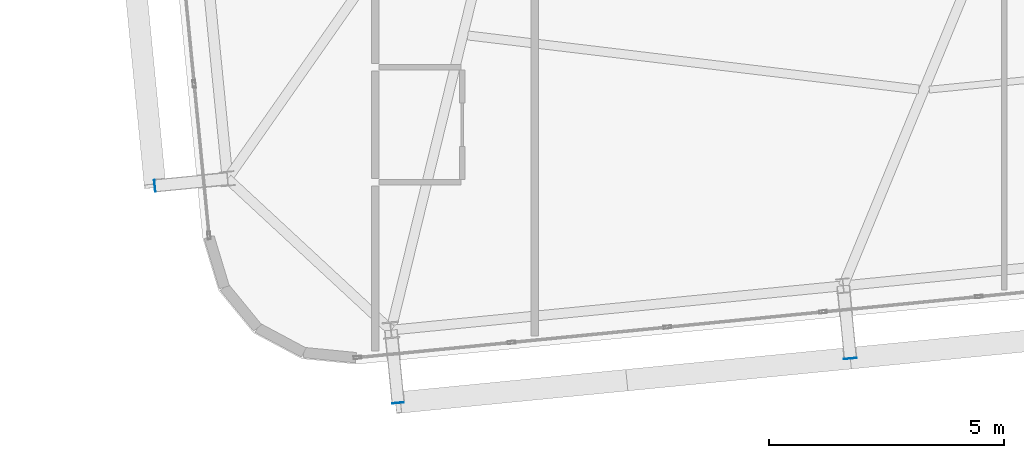
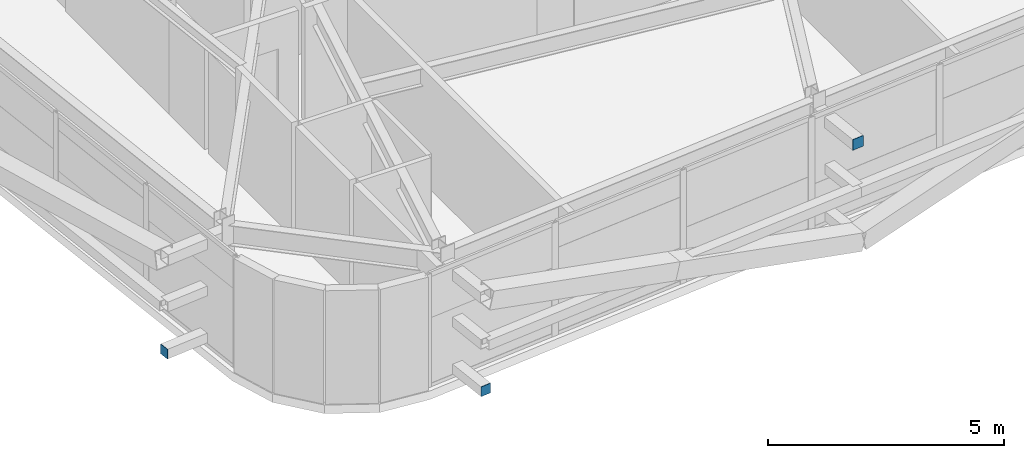
# One storey, part 38 of 52: 3 plates.
"""IFC4 building model written with IfcOpenShell, lengths in metres."""

import ifcopenshell
import ifcopenshell.guid

model = None  # the IFC model being written
_history = None  # IfcOwnerHistory: only IFC2X3 demands one
_inside = {}  # id of a spatial element -> (the spatial element, [elements in it])
_under = {}  # id of a project, library or spatial element -> (it, [spatial elements below it])
_declared = {}  # id of a project -> (the project, [libraries it declares])
_typed = {}  # id of a type object -> (the type object, [elements of that type])
_made_of = {}  # id of a material, layer set ... -> (it, [elements and type objects made of it])


def new_model(schema):
    """Start an empty IFC model of exactly this schema.

    Asked for "IFC4X3", IfcOpenShell would pick the latest addendum, in which some entities
    have other attributes; the version numbers below select the first issue.
    IFC2X3 requires an IfcOwnerHistory on every rooted entity: one is made here for all.
    """
    global model, _history
    if schema == "IFC4X3":
        model = ifcopenshell.file(schema_version=(4, 3, 0, 0))
    else:
        model = ifcopenshell.file(schema=schema)
    _inside.clear()
    _under.clear()
    _declared.clear()
    _typed.clear()
    _made_of.clear()
    _history = None
    if model.schema == "IFC2X3":
        org = make("IfcOrganization", Name="unknown")
        user = make(
            "IfcPersonAndOrganization",
            ThePerson=make("IfcPerson", FamilyName="unknown"),
            TheOrganization=org,
        )
        app = make(
            "IfcApplication",
            ApplicationDeveloper=org,
            Version="unknown",
            ApplicationFullName="unknown",
            ApplicationIdentifier="unknown",
        )
        _history = make(
            "IfcOwnerHistory",
            OwningUser=user,
            OwningApplication=app,
            ChangeAction="ADDED",
            CreationDate=0,
        )
    return model


def make(cls, **values):
    """One entity of the class cls with the attributes given. An attribute that is None is left unset."""
    return model.create_entity(
        cls, **{name: value for name, value in values.items() if value is not None}
    )


def rooted(cls, **values):
    """An entity with a GlobalId (a new one), such as an element, a storey or a relation."""
    return make(cls, GlobalId=ifcopenshell.guid.new(), OwnerHistory=_history, **values)


def si_unit(unit_type, name, prefix=None):
    """IfcSIUnit, for example si_unit("LENGTHUNIT", "METRE", prefix="MILLI")."""
    return make("IfcSIUnit", UnitType=unit_type, Prefix=prefix, Name=name)


def assignment(units):
    """IfcUnitAssignment: the units of a project."""
    return None if units is None else make("IfcUnitAssignment", Units=units)


def point(xyz):
    """IfcCartesianPoint."""
    return None if xyz is None else make("IfcCartesianPoint", Coordinates=xyz)


def direction(xyz):
    """IfcDirection."""
    return None if xyz is None else make("IfcDirection", DirectionRatios=xyz)


def frame(location, z_axis=None, x_axis=None):
    """IfcAxis2Placement3D, a coordinate frame: its origin and axes. An axis left out is left unset."""
    return make(
        "IfcAxis2Placement3D",
        Location=point(location),
        Axis=direction(z_axis),
        RefDirection=direction(x_axis),
    )


def frame_2d(location, x_axis=None):
    """IfcAxis2Placement2D, a coordinate frame in the plane: its origin and x axis."""
    return make(
        "IfcAxis2Placement2D", Location=point(location), RefDirection=direction(x_axis)
    )


def origin():
    """The frame at (0, 0, 0) with its axes left unset."""
    return frame((0.0, 0.0, 0.0))


def origin_2d():
    """The frame at (0, 0) in the plane with its x axis left unset."""
    return frame_2d((0.0, 0.0))


def place(relative_to, where):
    """IfcLocalPlacement: puts the frame where relative to a parent placement (None: the world)."""
    return make(
        "IfcLocalPlacement", PlacementRelTo=relative_to, RelativePlacement=where
    )


def context(
    kind, dimensions, precision=None, world=None, true_north=None, identifier=None
):
    """IfcGeometricRepresentationContext, for example the 3D "Model" context."""
    return make(
        "IfcGeometricRepresentationContext",
        ContextIdentifier=identifier,
        ContextType=kind,
        CoordinateSpaceDimension=dimensions,
        Precision=precision,
        WorldCoordinateSystem=world,
        TrueNorth=true_north,
    )


def subcontext(parent, identifier, kind, view, scale=None):
    """IfcGeometricRepresentationSubContext, for example "Body" below "Model"."""
    return make(
        "IfcGeometricRepresentationSubContext",
        ContextIdentifier=identifier,
        ContextType=kind,
        ParentContext=parent,
        TargetScale=scale,
        TargetView=view,
    )


def project(units=None, contexts=None):
    """IfcProject with its units and contexts."""
    return rooted(
        "IfcProject",
        Name="project",
        RepresentationContexts=contexts,
        UnitsInContext=assignment(units),
    )


def spatial(cls, under=None, at=None, **own):
    """A site, building, storey or space (cls), placed at a placement, below another one or the project."""
    s = rooted(cls, ObjectPlacement=at, **own)
    if under is not None:
        _under.setdefault(under.id(), (under, []))[1].append(s)
    return s


def profile(cls, at=None, kind="AREA", **sizes):
    """A parametric profile (cls). Its sizes go by their IFC names, for example OverallWidth=200.0."""
    return make(cls, ProfileType=kind, Position=at, **sizes)


def rectangle(**sizes):
    """IfcRectangleProfileDef."""
    return profile("IfcRectangleProfileDef", **sizes)


def extrude(swept, where, along, depth):
    """IfcExtrudedAreaSolid: the profile swept, set in the frame where, extruded along a direction by depth."""
    return make(
        "IfcExtrudedAreaSolid",
        SweptArea=swept,
        Position=where,
        ExtrudedDirection=direction(along),
        Depth=depth,
    )


def shape(context_of_items, identifier, shape_type, items):
    """IfcShapeRepresentation: the items that make up one representation, for example the "Body"."""
    return make(
        "IfcShapeRepresentation",
        ContextOfItems=context_of_items,
        RepresentationIdentifier=identifier,
        RepresentationType=shape_type,
        Items=items,
    )


def source(mapping_origin, context_of_items, identifier, shape_type, items):
    """IfcRepresentationMap: a shape defined once, which mapped items show again and again."""
    return make(
        "IfcRepresentationMap",
        MappingOrigin=mapping_origin,
        MappedRepresentation=shape(context_of_items, identifier, shape_type, items),
    )


def transform(
    local_origin,
    x_axis=None,
    y_axis=None,
    z_axis=None,
    scale=None,
    scale2=None,
    scale3=None,
    uniform=True,
):
    """IfcCartesianTransformationOperator3D, or its non-uniform kind. x_axis, y_axis, z_axis: its Axis1, 2, 3."""
    if uniform:
        return make(
            "IfcCartesianTransformationOperator3D",
            Axis1=direction(x_axis),
            Axis2=direction(y_axis),
            LocalOrigin=point(local_origin),
            Scale=scale,
            Axis3=direction(z_axis),
        )
    return make(
        "IfcCartesianTransformationOperator3DnonUniform",
        Axis1=direction(x_axis),
        Axis2=direction(y_axis),
        LocalOrigin=point(local_origin),
        Scale=scale,
        Axis3=direction(z_axis),
        Scale2=scale2,
        Scale3=scale3,
    )


def mapped(mapping_source, mapping_target):
    """IfcMappedItem: shows the shape of a source again, moved by a transform."""
    return make(
        "IfcMappedItem", MappingSource=mapping_source, MappingTarget=mapping_target
    )


def material(Name=None, Category=None):
    """IfcMaterial."""
    return make("IfcMaterial", Name=Name, Category=Category)


def layer(
    of_material, thickness, ventilated=None, Name=None, Category=None, Priority=None
):
    """IfcMaterialLayer: one layer of a wall or slab, of a material (None: an air gap)."""
    return make(
        "IfcMaterialLayer",
        Material=of_material,
        LayerThickness=thickness,
        IsVentilated=ventilated,
        Name=Name,
        Category=Category,
        Priority=Priority,
    )


def layer_set(layers, Name=None):
    """IfcMaterialLayerSet."""
    return make("IfcMaterialLayerSet", MaterialLayers=layers, LayerSetName=Name)


def made_of(thing, what):
    """Note that an element or type object is made of a material, layer set ...; save() writes the relation."""
    if what is not None:
        _made_of.setdefault(what.id(), (what, []))[1].append(thing)
    return thing


def type_object(cls, material=None, **own):
    """A type object (cls), such as IfcWallType, which elements share."""
    return made_of(rooted(cls, **own), material)


def element(
    cls,
    number,
    at=None,
    inside=None,
    cuts=None,
    type_object=None,
    material=None,
    context=None,
    identifier="Body",
    shape_type=None,
    held_by="IfcProductDefinitionShape",
    body=None,
    shapes=None,
    **own,
):
    """One element of the class cls, such as IfcWall. Its Tag is "e" and its number.

    at: its placement. inside: the storey or other place that contains it. cuts: it is an
    opening in that element (IfcRelVoidsElement). A single representation is given by context,
    identifier, shape_type and body (its items); several are given by shapes. held_by: the class
    of the entity that holds the representations. save() writes the other relations.
    """
    e = rooted(cls, Tag="e%d" % number, ObjectPlacement=at, **own)
    if body is not None:
        shapes = [shape(context, identifier, shape_type, body)]
    if shapes is not None:
        e.Representation = make(held_by, Representations=shapes)
    if inside is not None:
        _inside.setdefault(inside.id(), (inside, []))[1].append(e)
    if cuts is not None:
        rooted(
            "IfcRelVoidsElement", RelatingBuildingElement=cuts, RelatedOpeningElement=e
        )
    if type_object is not None:
        _typed.setdefault(type_object.id(), (type_object, []))[1].append(e)
    return made_of(e, material)


def aggregate(whole, parts):
    """IfcRelAggregates: a whole, such as a stair, and the parts it consists of."""
    return rooted("IfcRelAggregates", RelatingObject=whole, RelatedObjects=parts)


def save(model, path):
    """Write the relations noted so far, then the file.

    IfcRelAggregates (storeys below a building ...), IfcRelContainedInSpatialStructure (elements
    in a storey), IfcRelDefinesByType, IfcRelAssociatesMaterial and IfcRelDeclares: one each for
    every whole, place, type object, material and project.
    """
    for whole, parts in _under.values():
        aggregate(whole, parts)
    for where, things in _inside.values():
        rooted(
            "IfcRelContainedInSpatialStructure",
            RelatedElements=things,
            RelatingStructure=where,
        )
    for kind, things in _typed.values():
        rooted("IfcRelDefinesByType", RelatedObjects=things, RelatingType=kind)
    for what, things in _made_of.values():
        rooted("IfcRelAssociatesMaterial", RelatedObjects=things, RelatingMaterial=what)
    for by, libraries in _declared.values():
        rooted("IfcRelDeclares", RelatingContext=by, RelatedDefinitions=libraries)
    model.write(path)


model = new_model("IFC4")

# Units and contexts
model_context = context("Model", 3, precision=1e-05, world=origin(), true_north=direction((0.0, 1.0)))
body_context = subcontext(model_context, "Body", "Model", "MODEL_VIEW")
ifc_project = project(units=[si_unit("LENGTHUNIT", "METRE"), si_unit("AREAUNIT", "SQUARE_METRE"), si_unit("VOLUMEUNIT", "CUBIC_METRE"), si_unit("PLANEANGLEUNIT", "RADIAN"), si_unit("MASSUNIT", "GRAM", prefix="KILO")], contexts=[model_context])

# Site, building, storey
site_placement = place(None, origin())
site = spatial("IfcSite", under=ifc_project, at=site_placement, CompositionType="ELEMENT")
building_placement = place(site_placement, origin())
building = spatial("IfcBuilding", under=site, at=building_placement, Name="Taldren Reach Tower", CompositionType="ELEMENT")
storey_placement = place(building_placement, frame((0.0, 0.0, 77.699951171875)))
storey = spatial("IfcBuildingStorey", under=building, at=storey_placement, Name="L23", CompositionType="ELEMENT", Elevation=77.699951171875)

# Plates
ifc_material_1 = material(Name="Steel Gr 450 (C450L0)", Category="steel")
ifc_layer_1 = layer(ifc_material_1, 0.011962890625)
ifc_layer_set_1 = layer_set([ifc_layer_1], Name="Steel Gr 450 (C450L0)")
plate_type_1 = type_object("IfcPlateType", Name="PL-CAP-275", PredefinedType="SHEET", material=ifc_layer_set_1)
shared_shape_1 = source(origin(), body_context, "Body", "SweptSolid", [
    extrude(rectangle(XDim=0.27490234375, YDim=0.011962890625, at=origin_2d()), origin(), (0.0, 0.0, 1.0), 0.27490234375),
])
plate_1_placement = place(storey_placement, frame((24.7197265625, -0.683837890625, 2.5126953125), z_axis=(0.0, 0.0, 1.0), x_axis=(0.995227399982, 0.097582899759, 0.0)))
element("IfcPlate", 1, at=plate_1_placement, inside=storey, type_object=plate_type_1, Name="Tie strut end cap plate B2-S2 L23", PredefinedType="SHEET", context=body_context, shape_type="MappedRepresentation", body=[
    mapped(shared_shape_1, transform((0.0, 0.0, 0.0), scale=1.0)),
])
ifc_material_2 = material(Name="Steel Gr 350 (C350L0)", Category="steel")
ifc_layer_2 = layer(ifc_material_2, 0.011962890625)
ifc_layer_set_2 = layer_set([ifc_layer_2], Name="Steel Gr 350 (C350L0)")
plate_type_2 = type_object("IfcPlateType", Name="PL-CAP-250", PredefinedType="SHEET", material=ifc_layer_set_2)
shared_shape_2 = source(origin(), body_context, "Body", "SweptSolid", [
    extrude(rectangle(XDim=0.25, YDim=0.011962890625, at=origin_2d()), origin(), (0.0, 0.0, 1.0), 0.25),
])
plate_2_placement = place(storey_placement, frame((15.0859375, -1.62841796875, 0.094970703125), z_axis=(0.0, 0.0, 1.0), x_axis=(0.995227399982, 0.097582899759, 0.0)))
element("IfcPlate", 2, at=plate_2_placement, inside=storey, type_object=plate_type_2, Name="Tie strut end cap plate B2-S1 L23", PredefinedType="SHEET", context=body_context, shape_type="MappedRepresentation", body=[
    mapped(shared_shape_2, transform((0.0, 0.0, 0.0), scale=1.0)),
])
shared_shape_3 = source(origin(), body_context, "Body", "SweptSolid", [
    extrude(rectangle(XDim=0.011962890625, YDim=0.25, at=origin_2d()), origin(), (0.0, 0.0, 1.0), 0.25),
])
plate_3_placement = place(storey_placement, frame((9.904296875, 2.993896484375, 0.094970703125), z_axis=(0.0, 0.0, 1.0), x_axis=(0.995227399982, 0.097582899759, 0.0)))
element("IfcPlate", 3, at=plate_3_placement, inside=storey, type_object=plate_type_2, Name="Tie strut end cap plate B2-W1 L23", PredefinedType="SHEET", context=body_context, shape_type="MappedRepresentation", body=[
    mapped(shared_shape_3, transform((0.0, 0.0, 0.0), scale=1.0)),
])

save(model, "model.ifc")
